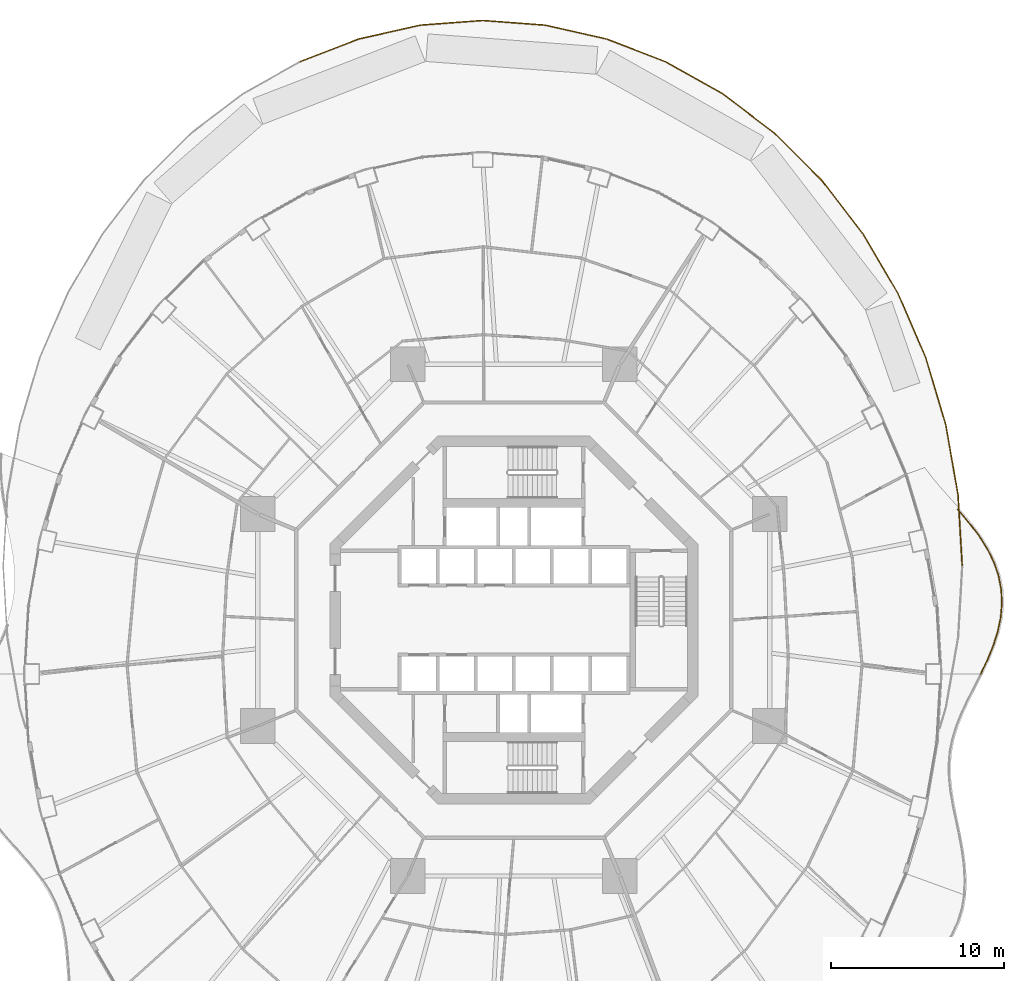
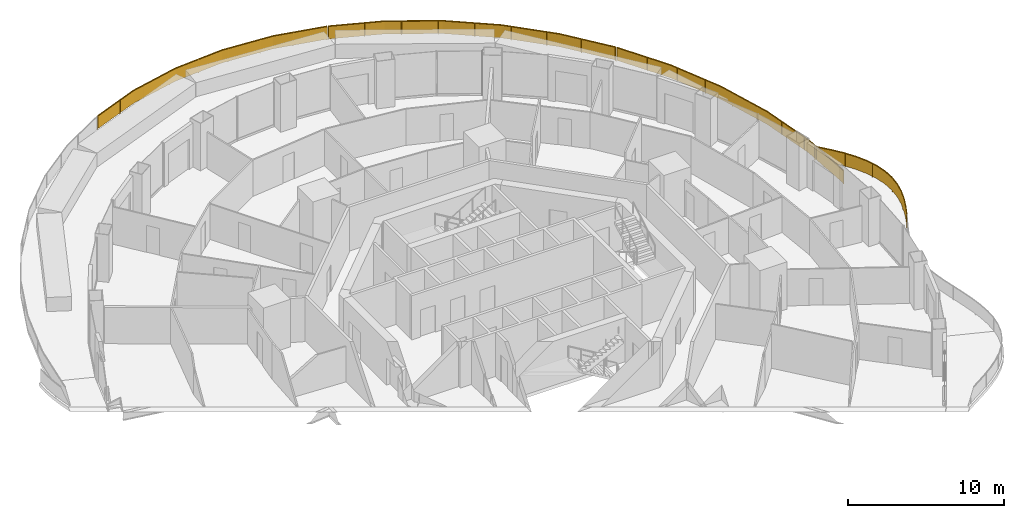
# One storey, part 20 of 20: 4 railings.
"""IFC4 building model written with IfcOpenShell, lengths in metres."""

import ifcopenshell
import ifcopenshell.guid

model = None  # the IFC model being written
_history = None  # IfcOwnerHistory: only IFC2X3 demands one
_inside = {}  # id of a spatial element -> (the spatial element, [elements in it])
_under = {}  # id of a project, library or spatial element -> (it, [spatial elements below it])
_declared = {}  # id of a project -> (the project, [libraries it declares])
_typed = {}  # id of a type object -> (the type object, [elements of that type])
_made_of = {}  # id of a material, layer set ... -> (it, [elements and type objects made of it])


def new_model(schema):
    """Start an empty IFC model of exactly this schema.

    Asked for "IFC4X3", IfcOpenShell would pick the latest addendum, in which some entities
    have other attributes; the version numbers below select the first issue.
    IFC2X3 requires an IfcOwnerHistory on every rooted entity: one is made here for all.
    """
    global model, _history
    if schema == "IFC4X3":
        model = ifcopenshell.file(schema_version=(4, 3, 0, 0))
    else:
        model = ifcopenshell.file(schema=schema)
    _inside.clear()
    _under.clear()
    _declared.clear()
    _typed.clear()
    _made_of.clear()
    _history = None
    if model.schema == "IFC2X3":
        org = make("IfcOrganization", Name="unknown")
        user = make(
            "IfcPersonAndOrganization",
            ThePerson=make("IfcPerson", FamilyName="unknown"),
            TheOrganization=org,
        )
        app = make(
            "IfcApplication",
            ApplicationDeveloper=org,
            Version="unknown",
            ApplicationFullName="unknown",
            ApplicationIdentifier="unknown",
        )
        _history = make(
            "IfcOwnerHistory",
            OwningUser=user,
            OwningApplication=app,
            ChangeAction="ADDED",
            CreationDate=0,
        )
    return model


def make(cls, **values):
    """One entity of the class cls with the attributes given. An attribute that is None is left unset."""
    return model.create_entity(
        cls, **{name: value for name, value in values.items() if value is not None}
    )


def rooted(cls, **values):
    """An entity with a GlobalId (a new one), such as an element, a storey or a relation."""
    return make(cls, GlobalId=ifcopenshell.guid.new(), OwnerHistory=_history, **values)


def si_unit(unit_type, name, prefix=None):
    """IfcSIUnit, for example si_unit("LENGTHUNIT", "METRE", prefix="MILLI")."""
    return make("IfcSIUnit", UnitType=unit_type, Prefix=prefix, Name=name)


def assignment(units):
    """IfcUnitAssignment: the units of a project."""
    return None if units is None else make("IfcUnitAssignment", Units=units)


def point(xyz):
    """IfcCartesianPoint."""
    return None if xyz is None else make("IfcCartesianPoint", Coordinates=xyz)


def direction(xyz):
    """IfcDirection."""
    return None if xyz is None else make("IfcDirection", DirectionRatios=xyz)


def frame(location, z_axis=None, x_axis=None):
    """IfcAxis2Placement3D, a coordinate frame: its origin and axes. An axis left out is left unset."""
    return make(
        "IfcAxis2Placement3D",
        Location=point(location),
        Axis=direction(z_axis),
        RefDirection=direction(x_axis),
    )


def frame_2d(location, x_axis=None):
    """IfcAxis2Placement2D, a coordinate frame in the plane: its origin and x axis."""
    return make(
        "IfcAxis2Placement2D", Location=point(location), RefDirection=direction(x_axis)
    )


def origin():
    """The frame at (0, 0, 0) with its axes left unset."""
    return frame((0.0, 0.0, 0.0))


def origin_2d():
    """The frame at (0, 0) in the plane with its x axis left unset."""
    return frame_2d((0.0, 0.0))


def place(relative_to, where):
    """IfcLocalPlacement: puts the frame where relative to a parent placement (None: the world)."""
    return make(
        "IfcLocalPlacement", PlacementRelTo=relative_to, RelativePlacement=where
    )


def context(
    kind, dimensions, precision=None, world=None, true_north=None, identifier=None
):
    """IfcGeometricRepresentationContext, for example the 3D "Model" context."""
    return make(
        "IfcGeometricRepresentationContext",
        ContextIdentifier=identifier,
        ContextType=kind,
        CoordinateSpaceDimension=dimensions,
        Precision=precision,
        WorldCoordinateSystem=world,
        TrueNorth=true_north,
    )


def subcontext(parent, identifier, kind, view, scale=None):
    """IfcGeometricRepresentationSubContext, for example "Body" below "Model"."""
    return make(
        "IfcGeometricRepresentationSubContext",
        ContextIdentifier=identifier,
        ContextType=kind,
        ParentContext=parent,
        TargetScale=scale,
        TargetView=view,
    )


def project(units=None, contexts=None):
    """IfcProject with its units and contexts."""
    return rooted(
        "IfcProject",
        Name="project",
        RepresentationContexts=contexts,
        UnitsInContext=assignment(units),
    )


def spatial(cls, under=None, at=None, **own):
    """A site, building, storey or space (cls), placed at a placement, below another one or the project."""
    s = rooted(cls, ObjectPlacement=at, **own)
    if under is not None:
        _under.setdefault(under.id(), (under, []))[1].append(s)
    return s


def polyline(points):
    """IfcPolyline through the points."""
    return make("IfcPolyline", Points=[point(p) for p in points])


def profile(cls, at=None, kind="AREA", **sizes):
    """A parametric profile (cls). Its sizes go by their IFC names, for example OverallWidth=200.0."""
    return make(cls, ProfileType=kind, Position=at, **sizes)


def rectangle(**sizes):
    """IfcRectangleProfileDef."""
    return profile("IfcRectangleProfileDef", **sizes)


def outline(outer, holes=None, kind="AREA"):
    """IfcArbitraryClosedProfileDef: a profile drawn as a closed curve; with holes, ...WithVoids."""
    if holes is None:
        return make("IfcArbitraryClosedProfileDef", ProfileType=kind, OuterCurve=outer)
    return make(
        "IfcArbitraryProfileDefWithVoids",
        ProfileType=kind,
        OuterCurve=outer,
        InnerCurves=holes,
    )


def extrude(swept, where, along, depth):
    """IfcExtrudedAreaSolid: the profile swept, set in the frame where, extruded along a direction by depth."""
    return make(
        "IfcExtrudedAreaSolid",
        SweptArea=swept,
        Position=where,
        ExtrudedDirection=direction(along),
        Depth=depth,
    )


def shape(context_of_items, identifier, shape_type, items):
    """IfcShapeRepresentation: the items that make up one representation, for example the "Body"."""
    return make(
        "IfcShapeRepresentation",
        ContextOfItems=context_of_items,
        RepresentationIdentifier=identifier,
        RepresentationType=shape_type,
        Items=items,
    )


def material(Name=None, Category=None):
    """IfcMaterial."""
    return make("IfcMaterial", Name=Name, Category=Category)


def made_of(thing, what):
    """Note that an element or type object is made of a material, layer set ...; save() writes the relation."""
    if what is not None:
        _made_of.setdefault(what.id(), (what, []))[1].append(thing)
    return thing


def type_object(cls, material=None, **own):
    """A type object (cls), such as IfcWallType, which elements share."""
    return made_of(rooted(cls, **own), material)


def element(
    cls,
    number,
    at=None,
    inside=None,
    cuts=None,
    type_object=None,
    material=None,
    context=None,
    identifier="Body",
    shape_type=None,
    held_by="IfcProductDefinitionShape",
    body=None,
    shapes=None,
    **own,
):
    """One element of the class cls, such as IfcWall. Its Tag is "e" and its number.

    at: its placement. inside: the storey or other place that contains it. cuts: it is an
    opening in that element (IfcRelVoidsElement). A single representation is given by context,
    identifier, shape_type and body (its items); several are given by shapes. held_by: the class
    of the entity that holds the representations. save() writes the other relations.
    """
    e = rooted(cls, Tag="e%d" % number, ObjectPlacement=at, **own)
    if body is not None:
        shapes = [shape(context, identifier, shape_type, body)]
    if shapes is not None:
        e.Representation = make(held_by, Representations=shapes)
    if inside is not None:
        _inside.setdefault(inside.id(), (inside, []))[1].append(e)
    if cuts is not None:
        rooted(
            "IfcRelVoidsElement", RelatingBuildingElement=cuts, RelatedOpeningElement=e
        )
    if type_object is not None:
        _typed.setdefault(type_object.id(), (type_object, []))[1].append(e)
    return made_of(e, material)


def aggregate(whole, parts):
    """IfcRelAggregates: a whole, such as a stair, and the parts it consists of."""
    return rooted("IfcRelAggregates", RelatingObject=whole, RelatedObjects=parts)


def save(model, path):
    """Write the relations noted so far, then the file.

    IfcRelAggregates (storeys below a building ...), IfcRelContainedInSpatialStructure (elements
    in a storey), IfcRelDefinesByType, IfcRelAssociatesMaterial and IfcRelDeclares: one each for
    every whole, place, type object, material and project.
    """
    for whole, parts in _under.values():
        aggregate(whole, parts)
    for where, things in _inside.values():
        rooted(
            "IfcRelContainedInSpatialStructure",
            RelatedElements=things,
            RelatingStructure=where,
        )
    for kind, things in _typed.values():
        rooted("IfcRelDefinesByType", RelatedObjects=things, RelatingType=kind)
    for what, things in _made_of.values():
        rooted("IfcRelAssociatesMaterial", RelatedObjects=things, RelatingMaterial=what)
    for by, libraries in _declared.values():
        rooted("IfcRelDeclares", RelatingContext=by, RelatedDefinitions=libraries)
    model.write(path)


model = new_model("IFC4")

# Units and contexts
model_context = context("Model", 3, precision=1e-05, world=origin(), true_north=direction((0.0, 1.0)))
body_context = subcontext(model_context, "Body", "Model", "MODEL_VIEW")
ifc_project = project(units=[si_unit("LENGTHUNIT", "METRE"), si_unit("AREAUNIT", "SQUARE_METRE"), si_unit("VOLUMEUNIT", "CUBIC_METRE"), si_unit("PLANEANGLEUNIT", "RADIAN"), si_unit("MASSUNIT", "GRAM", prefix="KILO")], contexts=[model_context])

# Site, building, storey
site_placement = place(None, origin())
site = spatial("IfcSite", under=ifc_project, at=site_placement, CompositionType="ELEMENT")
building_placement = place(site_placement, origin())
building = spatial("IfcBuilding", under=site, at=building_placement, Name="Nagisa Residences", CompositionType="ELEMENT")
storey_placement = place(building_placement, frame((0.0, 0.0, 119.60009765625)))
storey = spatial("IfcBuildingStorey", under=building, at=storey_placement, Name="L29", CompositionType="ELEMENT", Elevation=119.60009765625)

# Railings
ifc_material_1 = material(Name="Stainless steel 316", Category="steel")
railing_type_1 = type_object("IfcRailingType", Name="BALCONY GUARD 1100", PredefinedType="BALUSTRADE", material=ifc_material_1)
railing_1_placement = place(storey_placement, frame((26.965087890625, -3.11767578125, 0.0)))
element("IfcRailing", 1, at=railing_1_placement, inside=storey, type_object=railing_type_1, Name="guard:L29:bal00-0", PredefinedType="BALUSTRADE", context=body_context, shape_type="SweptSolid", body=[
    extrude(outline(polyline([(0.353515625, 0.798828125), (-0.0224609375, 0.0107421875), (0.0224609375, -0.0107421875), (0.3994140625, 0.7783203125), (0.733154296875, 1.590576171875), (0.99951171875, 2.41455078125), (1.17724609375, 3.24560546875), (1.250244140625, 4.07666015625), (1.2099609375, 4.88671875), (1.050537109375, 5.695556640625), (0.777587890625, 6.48291015625), (0.40185546875, 7.243896484375), (-0.060791015625, 7.97607421875), (-0.58447265625, 8.664794921875), (-1.152099609375, 9.340576171875), (-1.305908203125, 9.51318359375), (-1.343505859375, 9.47998046875), (-1.190185546875, 9.307861328125), (-0.62353515625, 8.633544921875), (-0.101806640625, 7.947265625), (0.35791015625, 7.219482421875), (0.731201171875, 6.46337890625), (1.002197265625, 5.682373046875), (1.16015625, 4.88037109375), (1.199951171875, 4.07763671875), (1.12744140625, 3.2529296875), (0.951171875, 2.427734375), (0.686279296875, 1.607666015625), (0.353515625, 0.798828125)])), frame((0.0, 0.0, 1.050048828125)), (0.0, 0.0, 1.0), 0.050048828125),
    extrude(outline(polyline([(0.3701171875, 0.79150390625), (-0.00634765625, 0.0029296875), (0.00634765625, -0.0029296875), (0.3828125, 0.78564453125), (0.71630859375, 1.5966796875), (0.982177734375, 2.41943359375), (1.1591796875, 3.248291015625), (1.232177734375, 4.076904296875), (1.192138671875, 4.884521484375), (1.033203125, 5.69091796875), (0.760986328125, 6.475830078125), (0.385986328125, 7.235107421875), (-0.075439453125, 7.965576171875), (-0.5986328125, 8.653564453125), (-1.165771484375, 9.328857421875), (-1.319580078125, 9.501220703125), (-1.329833984375, 9.491943359375), (-1.176513671875, 9.319580078125), (-0.609375, 8.644775390625), (-0.087158203125, 7.957763671875), (0.373779296875, 7.228271484375), (0.747802734375, 6.470458984375), (1.01953125, 5.68701171875), (1.177978515625, 4.882568359375), (1.218017578125, 4.077392578125), (1.1455078125, 3.250244140625), (0.968505859375, 2.4228515625), (0.703125, 1.6015625), (0.3701171875, 0.79150390625)])), frame((0.0, 0.0, 0.06005859375)), (0.0, 0.0, 1.0), 0.989990234375),
    extrude(rectangle(XDim=0.0400390625, YDim=0.0400390625, at=origin_2d()), origin(), (0.0, 0.0, 1.0), 1.050048828125),
    extrude(rectangle(XDim=0.0400390625, YDim=0.0400390625, at=origin_2d()), frame((0.813232421875, 1.919677734375, 0.0)), (0.0, 0.0, 1.0), 1.050048828125),
    extrude(rectangle(XDim=0.0400390625, YDim=0.0400390625, at=origin_2d()), frame((1.21484375, 3.9599609375, 0.0)), (0.0, 0.0, 1.0), 1.050048828125),
    extrude(rectangle(XDim=0.0400390625, YDim=0.0400390625, at=origin_2d()), frame((0.91455078125, 6.011474609375, 0.0)), (0.0, 0.0, 1.0), 1.050048828125),
    extrude(rectangle(XDim=0.0400390625, YDim=0.0400390625, at=origin_2d()), frame((-0.02197265625, 7.867919921875, 0.0)), (0.0, 0.0, 1.0), 1.050048828125),
    extrude(rectangle(XDim=0.0400390625, YDim=0.0400390625, at=origin_2d()), frame((-1.32470703125, 9.49658203125, 0.0)), (0.0, 0.0, 1.0), 1.050048828125),
])
ifc_material_2 = material(Name="Stainless steel 316", Category="steel")
railing_type_2 = type_object("IfcRailingType", Name="ROOF GUARD 1100", PredefinedType="GUARDRAIL", material=ifc_material_2)
railing_2_placement = place(storey_placement, frame((25.892578125, 3.15771484375, 0.0)))
element("IfcRailing", 2, at=railing_2_placement, inside=storey, type_object=railing_type_2, Name="guard:L29:garden00", PredefinedType="GUARDRAIL", context=body_context, shape_type="SweptSolid", body=[
    extrude(outline(polyline([(-0.259521484375, 4.070556640625), (-0.02490234375, -0.00146484375), (0.02490234375, 0.00146484375), (-0.209716796875, 4.076416015625), (-0.916748046875, 8.12255859375), (-2.082275390625, 12.02880859375), (-3.685546875, 15.72900390625), (-5.678955078125, 19.123291015625), (-5.721923828125, 19.097900390625), (-3.73046875, 15.7060546875), (-2.129150390625, 12.01171875), (-0.965576171875, 8.11083984375), (-0.259521484375, 4.070556640625)])), frame((0.0, 0.0, 1.050048828125)), (0.0, 0.0, 1.0), 0.050048828125),
    extrude(outline(polyline([(-0.24169921875, 4.07275390625), (-0.007080078125, -0.00048828125), (0.007080078125, 0.00048828125), (-0.2275390625, 4.07421875), (-0.934326171875, 8.118408203125), (-2.09912109375, 12.022705078125), (-3.70166015625, 15.720703125), (-5.6943359375, 19.1142578125), (-5.70654296875, 19.10693359375), (-3.71435546875, 15.71435546875), (-2.1123046875, 12.017822265625), (-0.947998046875, 8.114990234375), (-0.24169921875, 4.07275390625)])), frame((0.0, 0.0, 0.06005859375)), (0.0, 0.0, 1.0), 0.989990234375),
    extrude(rectangle(XDim=0.0400390625, YDim=0.0400390625, at=origin_2d()), origin(), (0.0, 0.0, 1.0), 1.050048828125),
    extrude(rectangle(XDim=0.0400390625, YDim=0.0400390625, at=origin_2d()), frame((-0.129150390625, 2.2431640625, 0.0)), (0.0, 0.0, 1.0), 1.050048828125),
    extrude(rectangle(XDim=0.0400390625, YDim=0.0400390625, at=origin_2d()), frame((-0.305908203125, 4.48095703125, 0.0)), (0.0, 0.0, 1.0), 1.050048828125),
    extrude(rectangle(XDim=0.0400390625, YDim=0.0400390625, at=origin_2d()), frame((-0.692626953125, 6.6943359375, 0.0)), (0.0, 0.0, 1.0), 1.050048828125),
    extrude(rectangle(XDim=0.0400390625, YDim=0.0400390625, at=origin_2d()), frame((-1.170654296875, 8.88623046875, 0.0)), (0.0, 0.0, 1.0), 1.050048828125),
    extrude(rectangle(XDim=0.0400390625, YDim=0.0400390625, at=origin_2d()), frame((-1.813232421875, 11.03955078125, 0.0)), (0.0, 0.0, 1.0), 1.050048828125),
    extrude(rectangle(XDim=0.0400390625, YDim=0.0400390625, at=origin_2d()), frame((-2.59228515625, 13.142822265625, 0.0)), (0.0, 0.0, 1.0), 1.050048828125),
    extrude(rectangle(XDim=0.0400390625, YDim=0.0400390625, at=origin_2d()), frame((-3.485595703125, 15.20458984375, 0.0)), (0.0, 0.0, 1.0), 1.050048828125),
    extrude(rectangle(XDim=0.0400390625, YDim=0.0400390625, at=origin_2d()), frame((-4.562744140625, 17.173095703125, 0.0)), (0.0, 0.0, 1.0), 1.050048828125),
    extrude(rectangle(XDim=0.0400390625, YDim=0.0400390625, at=origin_2d()), frame((-5.700439453125, 19.110595703125, 0.0)), (0.0, 0.0, 1.0), 1.050048828125),
])
railing_3_placement = place(storey_placement, frame((20.1474609375, 22.33447265625, 0.0)))
element("IfcRailing", 3, at=railing_3_placement, inside=storey, type_object=railing_type_2, Name="guard:L29:garden01", PredefinedType="GUARDRAIL", context=body_context, shape_type="SweptSolid", body=[
    extrude(outline(polyline([(-2.383056640625, 3.051025390625), (-0.019775390625, -0.015380859375), (0.019775390625, 0.015380859375), (-2.345458984375, 3.084228515625), (-5.0712890625, 5.804443359375), (-8.086181640625, 8.096923828125), (-11.33837890625, 9.921875), (-14.733154296875, 11.2333984375), (-14.751220703125, 11.1865234375), (-11.35986328125, 9.87646484375), (-8.113525390625, 8.054931640625), (-5.1044921875, 5.766845703125), (-2.383056640625, 3.051025390625)])), frame((0.0, 0.0, 1.050048828125)), (0.0, 0.0, 1.0), 0.050048828125),
    extrude(outline(polyline([(-2.36962890625, 3.06298828125), (-0.005615234375, -0.00439453125), (0.005615234375, 0.00439453125), (-2.35888671875, 3.072265625), (-5.083251953125, 5.791015625), (-8.095947265625, 8.081787109375), (-11.34619140625, 9.905517578125), (-14.73974609375, 11.216552734375), (-14.74462890625, 11.203369140625), (-11.35205078125, 9.892822265625), (-8.103759765625, 8.070068359375), (-5.092529296875, 5.7802734375), (-2.36962890625, 3.06298828125)])), frame((0.0, 0.0, 0.06005859375)), (0.0, 0.0, 1.0), 0.989990234375),
    extrude(rectangle(XDim=0.0400390625, YDim=0.0400390625, at=origin_2d()), origin(), (0.0, 0.0, 1.0), 1.050048828125),
    extrude(rectangle(XDim=0.0400390625, YDim=0.0400390625, at=origin_2d()), frame((-1.439697265625, 1.8681640625, 0.0)), (0.0, 0.0, 1.0), 1.050048828125),
    extrude(rectangle(XDim=0.0400390625, YDim=0.0400390625, at=origin_2d()), frame((-2.961669921875, 3.663818359375, 0.0)), (0.0, 0.0, 1.0), 1.050048828125),
    extrude(rectangle(XDim=0.0400390625, YDim=0.0400390625, at=origin_2d()), frame((-4.631103515625, 5.329833984375, 0.0)), (0.0, 0.0, 1.0), 1.050048828125),
    extrude(rectangle(XDim=0.0400390625, YDim=0.0400390625, at=origin_2d()), frame((-6.45166015625, 6.822509765625, 0.0)), (0.0, 0.0, 1.0), 1.050048828125),
    extrude(rectangle(XDim=0.0400390625, YDim=0.0400390625, at=origin_2d()), frame((-8.350830078125, 8.216796875, 0.0)), (0.0, 0.0, 1.0), 1.050048828125),
    extrude(rectangle(XDim=0.0400390625, YDim=0.0400390625, at=origin_2d()), frame((-10.40771484375, 9.370849609375, 0.0)), (0.0, 0.0, 1.0), 1.050048828125),
    extrude(rectangle(XDim=0.0400390625, YDim=0.0400390625, at=origin_2d()), frame((-12.542236328125, 10.360107421875, 0.0)), (0.0, 0.0, 1.0), 1.050048828125),
    extrude(rectangle(XDim=0.0400390625, YDim=0.0400390625, at=origin_2d()), frame((-14.7421875, 11.2099609375, 0.0)), (0.0, 0.0, 1.0), 1.050048828125),
])
railing_4_placement = place(storey_placement, frame((5.3291015625, 33.567626953125, 0.0)))
element("IfcRailing", 4, at=railing_4_placement, inside=storey, type_object=railing_type_2, Name="guard:L29:garden02", PredefinedType="GUARDRAIL", context=body_context, shape_type="SweptSolid", body=[
    extrude(outline(polyline([(-3.517822265625, 0.7705078125), (-0.005615234375, -0.0244140625), (0.005615234375, 0.0244140625), (-3.510498046875, 0.8203125), (-7.129150390625, 1.09033203125), (-10.747802734375, 0.8203125), (-14.304443359375, 0.01513671875), (-17.69921875, -1.296142578125), (-17.68115234375, -1.343017578125), (-14.289794921875, -0.03271484375), (-10.740478515625, 0.7705078125), (-7.129150390625, 1.0400390625), (-3.517822265625, 0.7705078125)])), frame((0.0, 0.0, 1.050048828125)), (0.0, 0.0, 1.0), 0.050048828125),
    extrude(outline(polyline([(-3.51513671875, 0.78857421875), (-0.00146484375, -0.0068359375), (0.00146484375, 0.0068359375), (-3.51318359375, 0.80224609375), (-7.129150390625, 1.072265625), (-10.7451171875, 0.80224609375), (-14.299072265625, -0.001953125), (-17.692626953125, -1.31298828125), (-17.687744140625, -1.326171875), (-14.295166015625, -0.015625), (-10.7431640625, 0.78857421875), (-7.129150390625, 1.05810546875), (-3.51513671875, 0.78857421875)])), frame((0.0, 0.0, 0.06005859375)), (0.0, 0.0, 1.0), 0.989990234375),
    extrude(rectangle(XDim=0.0400390625, YDim=0.0400390625, at=origin_2d()), origin(), (0.0, 0.0, 1.0), 1.050048828125),
    extrude(rectangle(XDim=0.0400390625, YDim=0.0400390625, at=origin_2d()), frame((-2.210693359375, 0.50048828125, 0.0)), (0.0, 0.0, 1.0), 1.050048828125),
    extrude(rectangle(XDim=0.0400390625, YDim=0.0400390625, at=origin_2d()), frame((-4.44189453125, 0.86474609375, 0.0)), (0.0, 0.0, 1.0), 1.050048828125),
    extrude(rectangle(XDim=0.0400390625, YDim=0.0400390625, at=origin_2d()), frame((-6.702392578125, 1.033447265625, 0.0)), (0.0, 0.0, 1.0), 1.050048828125),
    extrude(rectangle(XDim=0.0400390625, YDim=0.0400390625, at=origin_2d()), frame((-8.962646484375, 0.928466796875, 0.0)), (0.0, 0.0, 1.0), 1.050048828125),
    extrude(rectangle(XDim=0.0400390625, YDim=0.0400390625, at=origin_2d()), frame((-11.212646484375, 0.689453125, 0.0)), (0.0, 0.0, 1.0), 1.050048828125),
    extrude(rectangle(XDim=0.0400390625, YDim=0.0400390625, at=origin_2d()), frame((-13.42333984375, 0.18896484375, 0.0)), (0.0, 0.0, 1.0), 1.050048828125),
    extrude(rectangle(XDim=0.0400390625, YDim=0.0400390625, at=origin_2d()), frame((-15.57568359375, -0.502685546875, 0.0)), (0.0, 0.0, 1.0), 1.050048828125),
    extrude(rectangle(XDim=0.0400390625, YDim=0.0400390625, at=origin_2d()), frame((-17.690185546875, -1.319580078125, 0.0)), (0.0, 0.0, 1.0), 1.050048828125),
])

save(model, "model.ifc")
